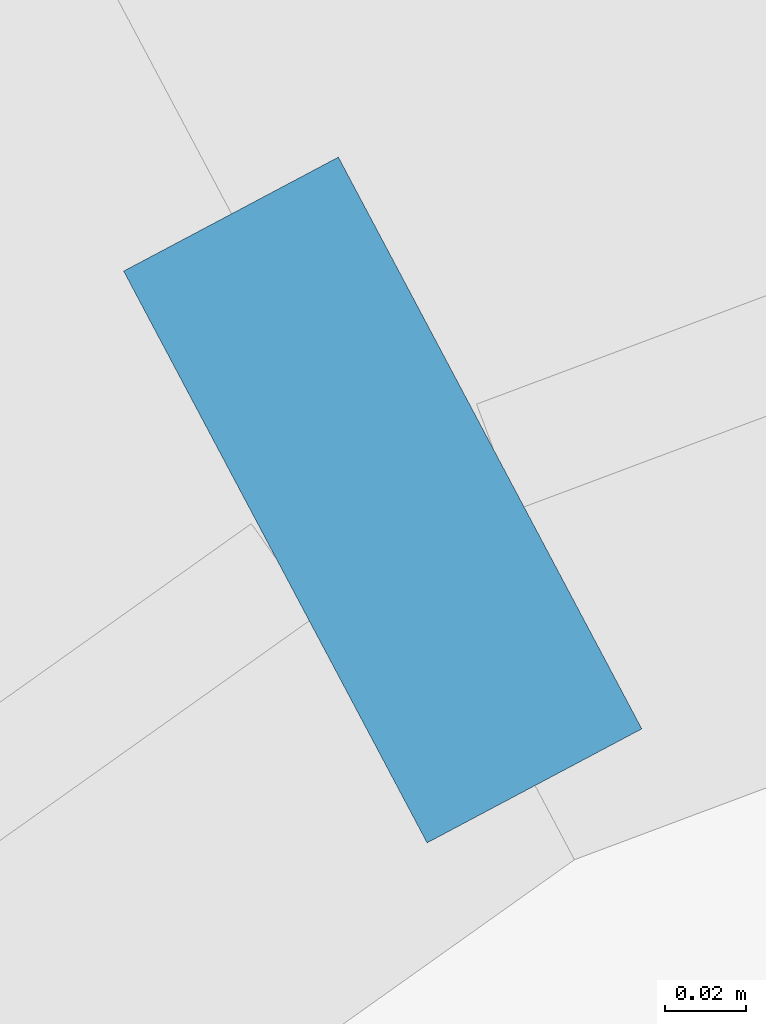
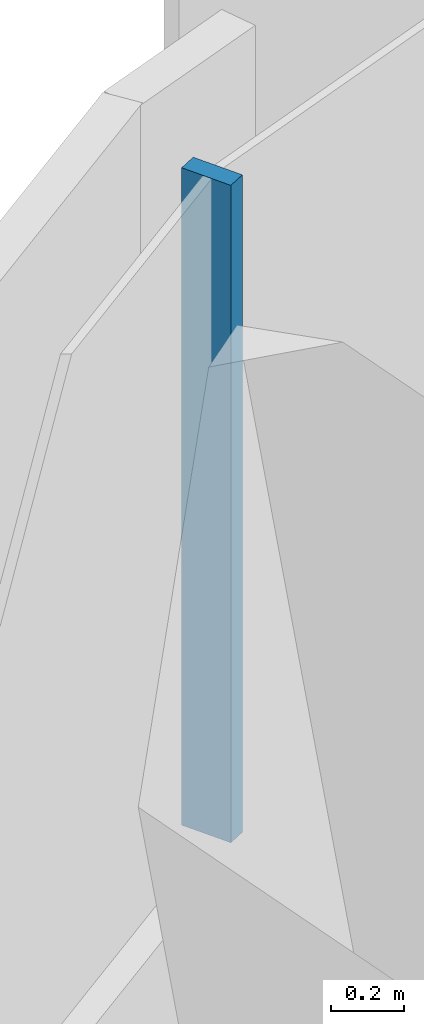
# One storey, part 16 of 31: 1 member, 1 element without a shape of its own.
"""IFC4 building model written with IfcOpenShell, lengths in metres."""

from ifc_helpers import new_model, si_unit, direction, frame, origin, origin_2d, place, context, subcontext, project, spatial, rectangle, extrude, material, layer, layer_set, material_profile, profile_set, type_object, element, aggregate, save


model = new_model("IFC4")

# Units and contexts
model_context = context("Model", 3, precision=1e-05, world=origin(), true_north=direction((0.0, 1.0)))
body_context = subcontext(model_context, "Body", "Model", "MODEL_VIEW")
ifc_project = project(units=[si_unit("LENGTHUNIT", "METRE"), si_unit("AREAUNIT", "SQUARE_METRE"), si_unit("VOLUMEUNIT", "CUBIC_METRE"), si_unit("PLANEANGLEUNIT", "RADIAN"), si_unit("MASSUNIT", "GRAM", prefix="KILO")], contexts=[model_context])

# Site, building, storey
site_placement = place(None, origin())
site = spatial("IfcSite", under=ifc_project, at=site_placement, CompositionType="ELEMENT")
building_placement = place(site_placement, origin())
building = spatial("IfcBuilding", under=site, at=building_placement, Name="Tamarind Cross Interchange Tower", CompositionType="ELEMENT")
storey_placement = place(building_placement, frame((0.0, 0.0, 163.0)))
storey = spatial("IfcBuildingStorey", under=building, at=storey_placement, Name="L40", CompositionType="ELEMENT", Elevation=163.0)

# Curtain wall, member
ifc_material = material(Name="Aluminium 6063-T6", Category="aluminium")
ifc_layer = layer(ifc_material, 0.159912109375)
ifc_layer_set = layer_set([ifc_layer], Name="Aluminium 6063-T6")
curtain_wall_type = type_object("IfcCurtainWallType", Name="Office curtain wall, 9.0 m bays", PredefinedType="NOTDEFINED", material=ifc_layer_set)
curtain_wall_placement = place(storey_placement, origin())
curtain_wall = element("IfcCurtainWall", 1, at=curtain_wall_placement, inside=storey, type_object=curtain_wall_type, Name="CWS-L40-05", PredefinedType="NOTDEFINED")
ifc_material_profile = material_profile(ifc_material, rectangle(XDim=0.06005859375, YDim=0.159912109375, at=origin_2d()), Name="Mullion CW1")
ifc_profile_set = profile_set([ifc_material_profile], Name="Aluminium 6063-T6")
member_type = type_object("IfcMemberType", Name="Mullion CW1", PredefinedType="MULLION", material=ifc_profile_set)
member_placement = place(storey_placement, frame((38.4775390625, 20.118408203125, 1.39990234375), z_axis=(0.0, 0.0, 1.0), x_axis=(-0.883297223265, -0.468813412108, 0.0)))
member = element("IfcMember", 2, at=member_placement, type_object=member_type, Name="CWM-L40-05-00", PredefinedType="MULLION", context=body_context, shape_type="SweptSolid", body=[
    extrude(rectangle(XDim=0.06005859375, YDim=0.159912109375, at=origin_2d()), origin(), (0.0, 0.0, 1.0), 2.210205078125),
])
aggregate(curtain_wall, [member])

save(model, "model.ifc")
